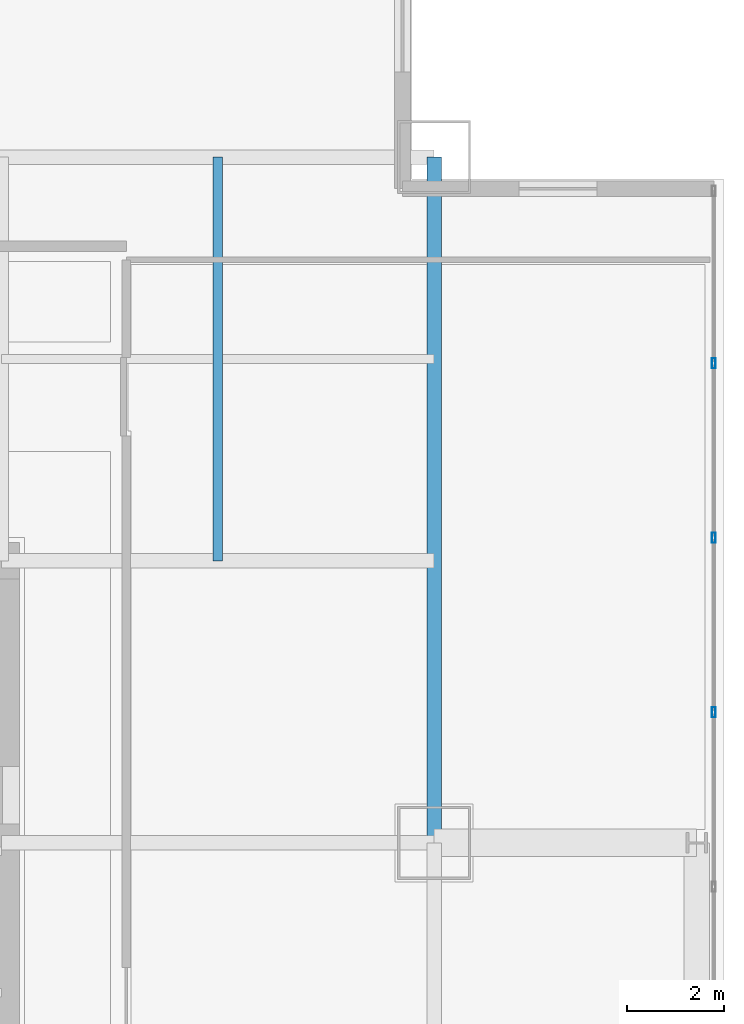
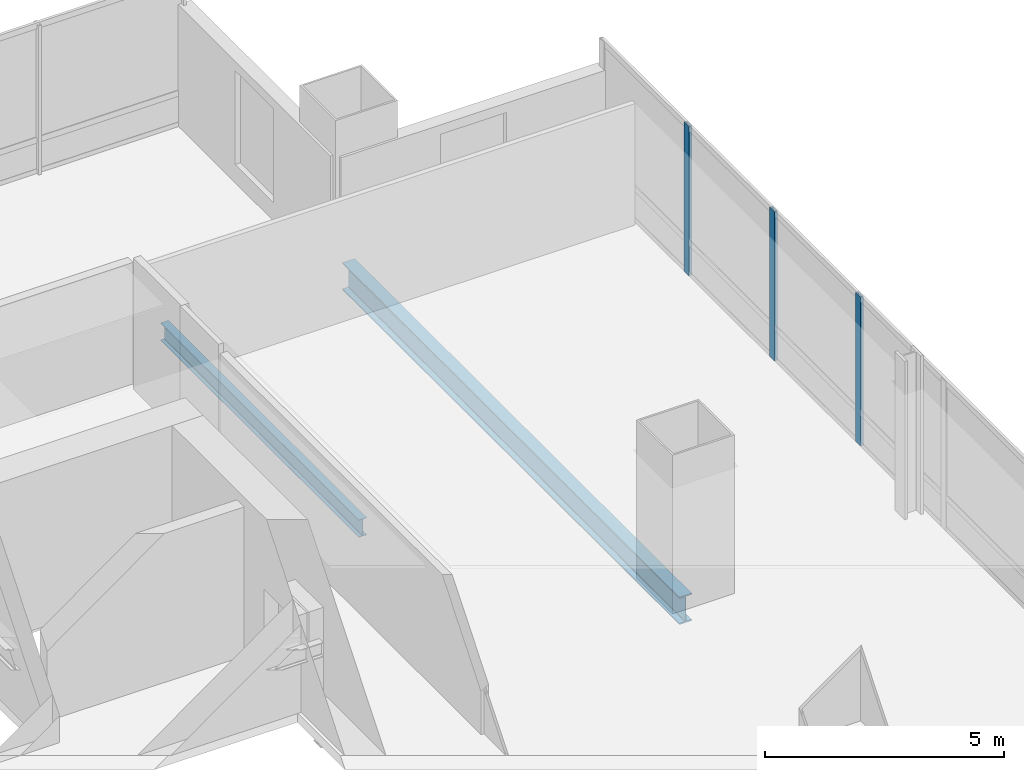
# One storey, part 19 of 34: 3 members, 2 beams, 1 element without a shape of its own.
"""IFC4 building model written with IfcOpenShell, lengths in metres."""

from ifc_helpers import new_model, si_unit, direction, frame, origin, origin_2d, place, context, subcontext, project, spatial, hollow_rectangle, i_section, extrude, material, material_profile, profile_set, type_object, element, aggregate, save


model = new_model("IFC4")

# Units and contexts
model_context = context("Model", 3, precision=1e-05, world=origin(), true_north=direction((0.0, 1.0)))
body_context = subcontext(model_context, "Body", "Model", "MODEL_VIEW")
ifc_project = project(units=[si_unit("LENGTHUNIT", "METRE"), si_unit("AREAUNIT", "SQUARE_METRE"), si_unit("VOLUMEUNIT", "CUBIC_METRE"), si_unit("PLANEANGLEUNIT", "RADIAN"), si_unit("MASSUNIT", "GRAM", prefix="KILO")], contexts=[model_context])

# Site, building, storey
site_placement = place(None, origin())
site = spatial("IfcSite", under=ifc_project, at=site_placement, CompositionType="ELEMENT")
building_placement = place(site_placement, origin())
building = spatial("IfcBuilding", under=site, at=building_placement, Name="Punatoya Terracotta Tower", CompositionType="ELEMENT")
storey_placement = place(building_placement, frame((0.0, 0.0, 117.300048828125)))
storey = spatial("IfcBuildingStorey", under=building, at=storey_placement, Name="L27", CompositionType="ELEMENT", Elevation=117.300048828125)

# Beams
ifc_material_1 = material(Name="Steel S355", Category="steel")
ifc_material_profile_1 = material_profile(ifc_material_1, i_section(OverallWidth=0.300048828125, OverallDepth=0.699951171875, WebThickness=0.01708984375, FlangeThickness=0.031982421875, FilletRadius=0.01806640625, at=origin_2d()))
ifc_profile_set_1 = profile_set([ifc_material_profile_1], Name="Steel S355")
beam_type_1 = type_object("IfcBeamType", Name="BM-PRI-700", PredefinedType="BEAM", material=ifc_profile_set_1)
beam_1_placement = place(storey_placement, frame((19.10009765625, 3.39990234375, -0.590087890625), z_axis=(0.0, 1.0, 0.0), x_axis=(-1.0, 0.0, 0.0)))
element("IfcBeam", 1, at=beam_1_placement, inside=storey, type_object=beam_type_1, Name="BM-L27-RG-E3", PredefinedType="BEAM", context=body_context, shape_type="SweptSolid", body=[
    extrude(i_section(OverallWidth=0.300048828125, OverallDepth=0.699951171875, WebThickness=0.01708984375, FlangeThickness=0.031982421875, FilletRadius=0.01806640625, at=origin_2d()), origin(), (0.0, 0.0, 1.0), 14.10009765625),
])
ifc_material_profile_2 = material_profile(ifc_material_1, i_section(OverallWidth=0.18994140625, OverallDepth=0.449951171875, WebThickness=0.009521484375, FlangeThickness=0.0146484375, FilletRadius=0.01806640625, at=origin_2d()))
ifc_profile_set_2 = profile_set([ifc_material_profile_2], Name="Steel S355")
beam_type_2 = type_object("IfcBeamType", Name="BM-SEC-450", PredefinedType="JOIST", material=ifc_profile_set_2)
beam_2_placement = place(storey_placement, frame((14.64990234375, 9.199951171875, -0.465087890625), z_axis=(0.0, 1.0, 0.0), x_axis=(-1.0, 0.0, 0.0)))
element("IfcBeam", 2, at=beam_2_placement, inside=storey, type_object=beam_type_2, Name="BM-L27-SJE-2", PredefinedType="JOIST", context=body_context, shape_type="SweptSolid", body=[
    extrude(i_section(OverallWidth=0.18994140625, OverallDepth=0.449951171875, WebThickness=0.009521484375, FlangeThickness=0.0146484375, FilletRadius=0.01806640625, at=origin_2d()), origin(), (0.0, 0.0, 1.0), 8.300048828125),
])

# Curtain wall, members
ifc_material_2 = material(Name="Aluminium 6063-T6 + Double Low-E Glass", Category="aluminium")
curtain_wall_type = type_object("IfcCurtainWallType", Name="CW-M1", PredefinedType="NOTDEFINED", material=ifc_material_2)
curtain_wall_placement = place(storey_placement, origin())
curtain_wall = element("IfcCurtainWall", 3, at=curtain_wall_placement, inside=storey, type_object=curtain_wall_type, Name="L27 Curtain Wall CW-L27-E05-1", PredefinedType="NOTDEFINED")
ifc_material_3 = material(Name="Aluminium 6063-T6", Category="aluminium")
ifc_material_profile_3 = material_profile(ifc_material_3, hollow_rectangle(XDim=0.074951171875, YDim=0.2099609375, WallThickness=0.00439453125, at=origin_2d()))
ifc_profile_set_3 = profile_set([ifc_material_profile_3], Name="Aluminium 6063-T6")
member_type = type_object("IfcMemberType", Name="CW-MUL-M1", PredefinedType="MULLION", material=ifc_profile_set_3)
member_1_placement = place(storey_placement, frame((24.85009765625, 6.087646484375, 0.0), z_axis=(0.0, 0.0, 1.0), x_axis=(1.0, 0.0, 0.0)))
member_1 = element("IfcMember", 4, at=member_1_placement, type_object=member_type, Name="CW-L27-E05-1 Mullion 06", PredefinedType="MULLION", context=body_context, shape_type="SweptSolid", body=[
    extrude(hollow_rectangle(XDim=0.074951171875, YDim=0.2099609375, WallThickness=0.00439453125, at=origin_2d()), origin(), (0.0, 0.0, 1.0), 3.81005859375),
])
member_2_placement = place(storey_placement, frame((24.85009765625, 9.675048828125, 0.0), z_axis=(0.0, 0.0, 1.0), x_axis=(1.0, 0.0, 0.0)))
member_2 = element("IfcMember", 5, at=member_2_placement, type_object=member_type, Name="CW-L27-E05-1 Mullion 07", PredefinedType="MULLION", context=body_context, shape_type="SweptSolid", body=[
    extrude(hollow_rectangle(XDim=0.074951171875, YDim=0.2099609375, WallThickness=0.00439453125, at=origin_2d()), origin(), (0.0, 0.0, 1.0), 3.81005859375),
])
member_3_placement = place(storey_placement, frame((24.85009765625, 13.2626953125, 0.0), z_axis=(0.0, 0.0, 1.0), x_axis=(1.0, 0.0, 0.0)))
member_3 = element("IfcMember", 6, at=member_3_placement, type_object=member_type, Name="CW-L27-E05-1 Mullion 08", PredefinedType="MULLION", context=body_context, shape_type="SweptSolid", body=[
    extrude(hollow_rectangle(XDim=0.074951171875, YDim=0.2099609375, WallThickness=0.00439453125, at=origin_2d()), origin(), (0.0, 0.0, 1.0), 3.81005859375),
])
aggregate(curtain_wall, [member_1, member_2, member_3])

save(model, "model.ifc")
